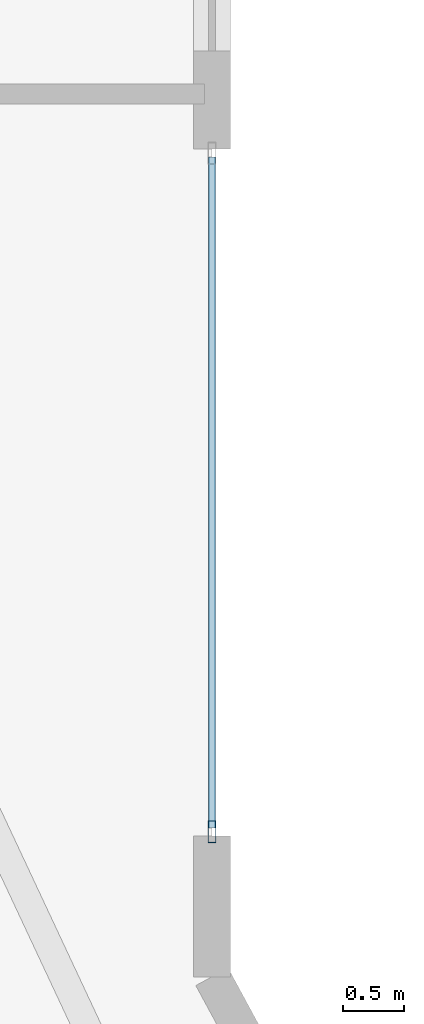
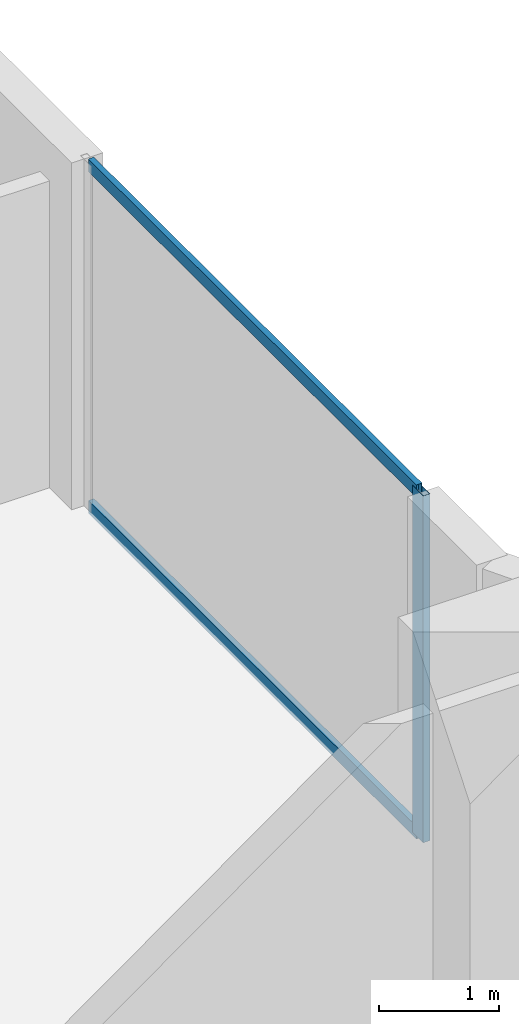
# One storey, part 14 of 32: 3 members, 1 element without a shape of its own.
"""IFC4 building model written with IfcOpenShell, lengths in metres."""

from ifc_helpers import new_model, si_unit, direction, frame, origin, origin_2d, place, context, subcontext, project, spatial, hollow_rectangle, extrude, material, layer, layer_set, material_profile, profile_set, type_object, element, aggregate, save


model = new_model("IFC4")

# Units and contexts
model_context = context("Model", 3, precision=1e-05, world=origin(), true_north=direction((0.0, 1.0)))
body_context = subcontext(model_context, "Body", "Model", "MODEL_VIEW")
ifc_project = project(units=[si_unit("LENGTHUNIT", "METRE"), si_unit("AREAUNIT", "SQUARE_METRE"), si_unit("VOLUMEUNIT", "CUBIC_METRE"), si_unit("PLANEANGLEUNIT", "RADIAN"), si_unit("MASSUNIT", "GRAM", prefix="KILO")], contexts=[model_context])

# Site, building, storey
site_placement = place(None, origin())
site = spatial("IfcSite", under=ifc_project, at=site_placement, CompositionType="ELEMENT")
building_placement = place(site_placement, origin())
building = spatial("IfcBuilding", under=site, at=building_placement, Name="Zuhayl Quay Hotel", CompositionType="ELEMENT")
storey_placement = place(building_placement, frame((0.0, 0.0, 184.89990234375)))
storey = spatial("IfcBuildingStorey", under=building, at=storey_placement, Name="L46", CompositionType="ELEMENT", Elevation=184.89990234375)

# Curtain wall, members
ifc_material_1 = material(Name="Anodised Aluminium 6063-T6", Category="aluminium")
ifc_layer = layer(ifc_material_1, 0.175048828125, Name="Anodised Aluminium 6063-T6", Category="aluminium")
ifc_layer_set = layer_set([ifc_layer], Name="Anodised Aluminium 6063-T6")
curtain_wall_type = type_object("IfcCurtainWallType", Name="CW_SYS_Z3", PredefinedType="USERDEFINED", material=ifc_layer_set)
curtain_wall_placement = place(storey_placement, origin())
curtain_wall = element("IfcCurtainWall", 1, at=curtain_wall_placement, inside=storey, type_object=curtain_wall_type, Name="L46 Curtain Wall ENV_L46_E11_CW1", ObjectType="UNITISED CURTAIN WALL", PredefinedType="USERDEFINED")
ifc_material_2 = material(Name="Black-anodised aluminium 6063-T6", Category="aluminium")
ifc_material_profile_1 = material_profile(ifc_material_2, hollow_rectangle(XDim=0.06494140625, YDim=0.179931640625, WallThickness=0.00341796875, at=origin_2d()), Name="ALU180X65")
ifc_profile_set_1 = profile_set([ifc_material_profile_1], Name="Black-anodised aluminium 6063-T6")
member_type_1 = type_object("IfcMemberType", Name="MB_CW_MUL_180", PredefinedType="MULLION", material=ifc_profile_set_1)
member_1_placement = place(storey_placement, frame((22.10009765625, 18.982421875, 0.0), z_axis=(0.0, 0.0, 1.0), x_axis=(1.0, 0.0, 0.0)))
member_1 = element("IfcMember", 2, at=member_1_placement, type_object=member_type_1, Name="CW-Z3 mullion 2", PredefinedType="MULLION", context=body_context, shape_type="SweptSolid", body=[
    extrude(hollow_rectangle(XDim=0.06494140625, YDim=0.179931640625, WallThickness=0.00341796875, at=origin_2d()), origin(), (0.0, 0.0, 1.0), 3.530029296875),
])
ifc_material_profile_2 = material_profile(ifc_material_2, hollow_rectangle(XDim=0.054931640625, YDim=0.1298828125, WallThickness=0.0029296875, at=origin_2d()), Name="ALU130X55")
ifc_profile_set_2 = profile_set([ifc_material_profile_2], Name="Black-anodised aluminium 6063-T6")
member_type_2 = type_object("IfcMemberType", Name="MB_CW_TRN_130", PredefinedType="USERDEFINED", material=ifc_profile_set_2)
member_2_placement = place(storey_placement, frame((22.10009765625, 24.485107421875, 0.027587890625), z_axis=(0.0, -1.0, 0.0), x_axis=(1.0, 0.0, 0.0)))
member_2 = element("IfcMember", 3, at=member_2_placement, type_object=member_type_2, Name="CW-Z3 transom 1.1", ObjectType="TRANSOM", PredefinedType="USERDEFINED", context=body_context, shape_type="SweptSolid", body=[
    extrude(hollow_rectangle(XDim=0.054931640625, YDim=0.1298828125, WallThickness=0.0029296875, at=origin_2d()), origin(), (0.0, 0.0, 1.0), 5.47021484375),
])
member_3_placement = place(storey_placement, frame((22.10009765625, 24.485107421875, 3.502685546875), z_axis=(0.0, -1.0, 0.0), x_axis=(1.0, 0.0, 0.0)))
member_3 = element("IfcMember", 4, at=member_3_placement, type_object=member_type_2, Name="CW-Z3 transom 1.2", ObjectType="TRANSOM", PredefinedType="USERDEFINED", context=body_context, shape_type="SweptSolid", body=[
    extrude(hollow_rectangle(XDim=0.054931640625, YDim=0.1298828125, WallThickness=0.0029296875, at=origin_2d()), origin(), (0.0, 0.0, 1.0), 5.47021484375),
])
aggregate(curtain_wall, [member_1, member_2, member_3])

save(model, "model.ifc")
